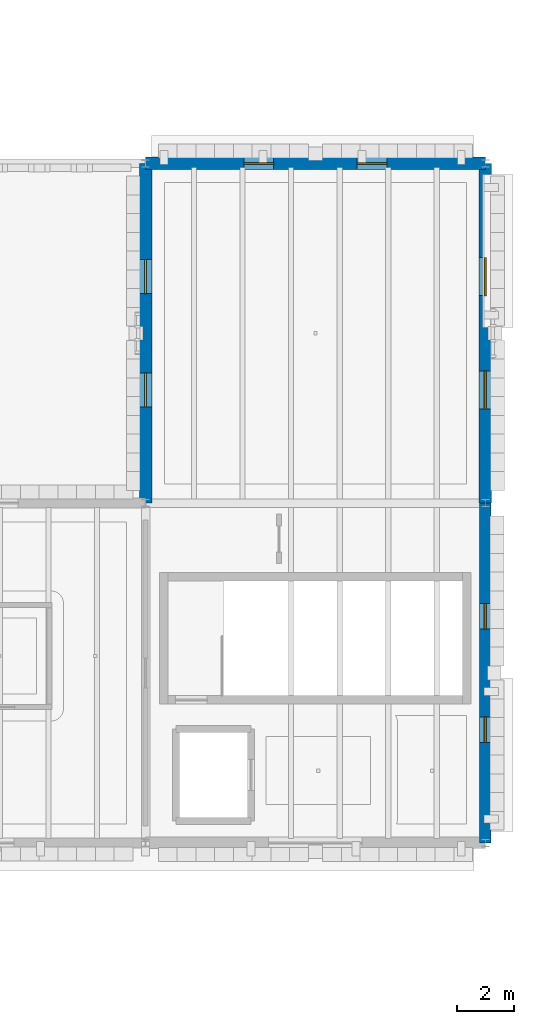
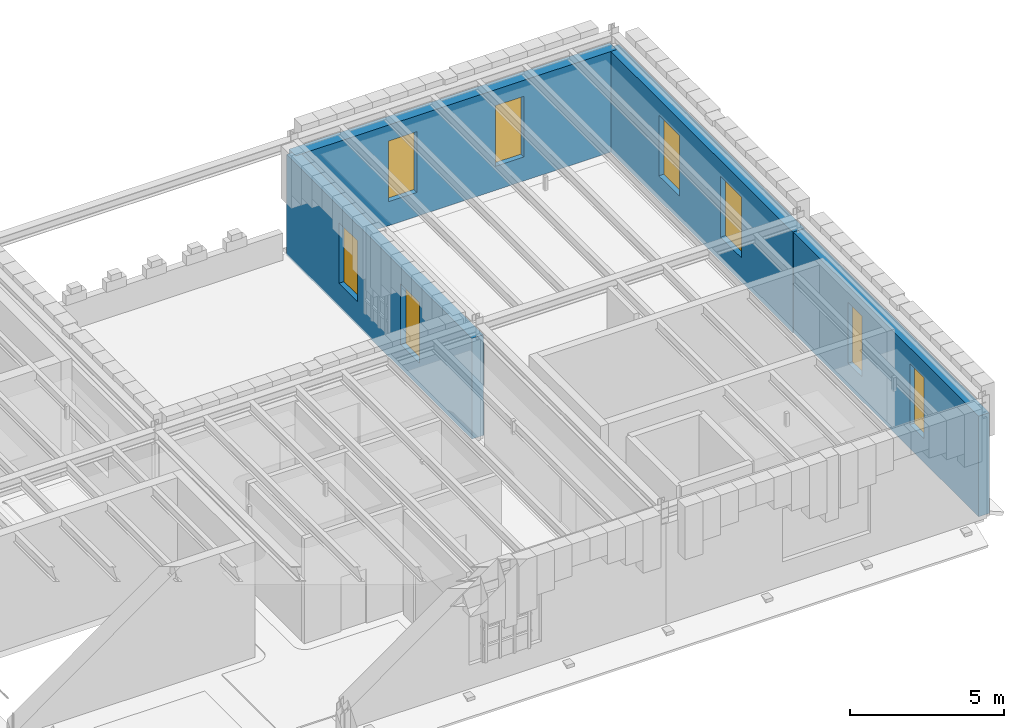
# One storey, part 18 of 35: 8 windows, 4 walls, 8 openings.
"""IFC4 building model written with IfcOpenShell, lengths in metres."""

from ifc_helpers import new_model, si_unit, direction, frame, frame_2d, origin, place, context, subcontext, project, spatial, rectangle, extrude, material, layer, layer_set, type_object, element, fill, save


model = new_model("IFC4")

# Units and contexts
model_context = context("Model", 3, precision=1e-05, world=origin(), true_north=direction((0.0, 1.0)))
body_context = subcontext(model_context, "Body", "Model", "MODEL_VIEW")
ifc_project = project(units=[si_unit("LENGTHUNIT", "METRE"), si_unit("AREAUNIT", "SQUARE_METRE"), si_unit("VOLUMEUNIT", "CUBIC_METRE"), si_unit("PLANEANGLEUNIT", "RADIAN"), si_unit("MASSUNIT", "GRAM", prefix="KILO")], contexts=[model_context])

# Site, building, storey
site_placement = place(None, origin())
site = spatial("IfcSite", under=ifc_project, at=site_placement, CompositionType="ELEMENT")
building_placement = place(site_placement, origin())
building = spatial("IfcBuilding", under=site, at=building_placement, Name="Zlatogorsky Bluff Art Gallery", CompositionType="ELEMENT")
storey_placement = place(building_placement, frame((0.0, 0.0, 23.39990234375)))
storey = spatial("IfcBuildingStorey", under=building, at=storey_placement, Name="L04", CompositionType="ELEMENT", Elevation=23.39990234375)

# Wall, openings, windows
ifc_material_1 = material(Name="Precast concrete C40/50", Category="concrete")
ifc_layer_1 = layer(ifc_material_1, 0.39990234375)
ifc_layer_set_1 = layer_set([ifc_layer_1], Name="Exterior Wall EW-02 400mm")
wall_type_1 = type_object("IfcWallType", Name="Exterior Wall EW-02 400mm", PredefinedType="SOLIDWALL", material=ifc_layer_set_1)
wall_1_placement = place(storey_placement, frame((156.0, 84.0, 0.0), z_axis=(0.0, 0.0, 1.0), x_axis=(0.0, 1.0, 0.0)))
wall_1 = element("IfcWall", 1, at=wall_1_placement, inside=storey, type_object=wall_type_1, Name="Exterior wall EW-02 L04 E 12.8", PredefinedType="SOLIDWALL", context=body_context, shape_type="SweptSolid", body=[
    extrude(rectangle(XDim=12.0, YDim=0.39990234375, at=frame_2d((6.0, 0.0))), origin(), (0.0, 0.0, 1.0), 3.97998046875),
])
opening_1_placement = place(wall_1_placement, frame((3.550048828125, 0.0, 0.949951171875)))
opening_1 = element("IfcOpeningElement", 2, at=opening_1_placement, cuts=wall_1, Name="Opening WN-37", PredefinedType="OPENING", context=body_context, shape_type="SweptSolid", body=[
    extrude(rectangle(XDim=0.89990234375, YDim=2.39990234375, at=frame_2d((0.449951171875, 1.199951171875))), frame((0.0, 0.2099609375, 0.0), z_axis=(0.0, -1.0, 0.0), x_axis=(1.0, 0.0, 0.0)), (0.0, 0.0, 1.0), 0.419921875),
])
opening_2_placement = place(wall_1_placement, frame((7.550048828125, 0.0, 0.949951171875)))
opening_2 = element("IfcOpeningElement", 3, at=opening_2_placement, cuts=wall_1, Name="Opening WN-37", PredefinedType="OPENING", context=body_context, shape_type="SweptSolid", body=[
    extrude(rectangle(XDim=0.89990234375, YDim=2.39990234375, at=frame_2d((0.449951171875, 1.199951171875))), frame((0.0, 0.2099609375, 0.0), z_axis=(0.0, -1.0, 0.0), x_axis=(1.0, 0.0, 0.0)), (0.0, 0.0, 1.0), 0.419921875),
])
ifc_material_2 = material(Name="Bronze-Anodised Aluminium Triple Glazing", Category="aluminium")
window_type_1 = type_object("IfcWindowType", Name="Pointed-Reveal Window WN-37 900x2400", PartitioningType="SINGLE_PANEL", PredefinedType="WINDOW", material=ifc_material_2)
window_1_placement = place(opening_1_placement, origin())
window_1 = element("IfcWindow", 4, at=window_1_placement, inside=storey, type_object=window_type_1, Name="Window WN-37 L04.E.12.8.1", OverallHeight=2.39990234375, OverallWidth=0.89990234375, PartitioningType="SINGLE_PANEL", PredefinedType="WINDOW", context=body_context, shape_type="SweptSolid", body=[
    extrude(rectangle(XDim=0.89990234375, YDim=2.39990234375, at=frame_2d((0.449951171875, 1.199951171875))), frame((0.0, 0.030029296875, 0.0), z_axis=(0.0, -1.0, 0.0), x_axis=(1.0, 0.0, 0.0)), (0.0, 0.0, 1.0), 0.06005859375),
])
fill(opening_1, window_1)
window_2_placement = place(opening_2_placement, origin())
window_2 = element("IfcWindow", 5, at=window_2_placement, inside=storey, type_object=window_type_1, Name="Window WN-37 L04.E.12.8.2", OverallHeight=2.39990234375, OverallWidth=0.89990234375, PartitioningType="SINGLE_PANEL", PredefinedType="WINDOW", context=body_context, shape_type="SweptSolid", body=[
    extrude(rectangle(XDim=0.89990234375, YDim=2.39990234375, at=frame_2d((0.449951171875, 1.199951171875))), frame((0.0, 0.030029296875, 0.0), z_axis=(0.0, -1.0, 0.0), x_axis=(1.0, 0.0, 0.0)), (0.0, 0.0, 1.0), 0.06005859375),
])
fill(opening_2, window_2)

ifc_layer_2 = layer(ifc_material_1, 0.43994140625)
ifc_layer_set_2 = layer_set([ifc_layer_2], Name="Exterior Wall EW-03 440mm")
wall_type_2 = type_object("IfcWallType", Name="Exterior Wall EW-03 440mm", PredefinedType="SOLIDWALL", material=ifc_layer_set_2)
wall_2_placement = place(storey_placement, frame((156.0, 108.0, 0.0), z_axis=(0.0, 0.0, 1.0), x_axis=(-1.0, 0.0, 0.0)))
wall_2 = element("IfcWall", 6, at=wall_2_placement, inside=storey, type_object=wall_type_2, Name="Exterior wall EW-03 L04 N 12.9", PredefinedType="SOLIDWALL", context=body_context, shape_type="SweptSolid", body=[
    extrude(rectangle(XDim=12.0, YDim=0.43994140625, at=frame_2d((6.0, 0.0))), origin(), (0.0, 0.0, 1.0), 3.97998046875),
])
opening_3_placement = place(wall_2_placement, frame((3.47509765625, 0.0, 0.949951171875)))
opening_3 = element("IfcOpeningElement", 7, at=opening_3_placement, cuts=wall_2, Name="Opening WN-38", PredefinedType="OPENING", context=body_context, shape_type="SweptSolid", body=[
    extrude(rectangle(XDim=1.050048828125, YDim=2.39990234375, at=frame_2d((0.52490234375, 1.199951171875))), frame((0.0, 0.22998046875, 0.0), z_axis=(0.0, -1.0, 0.0), x_axis=(1.0, 0.0, 0.0)), (0.0, 0.0, 1.0), 0.4599609375),
])
opening_4_placement = place(wall_2_placement, frame((7.47509765625, 0.0, 0.949951171875)))
opening_4 = element("IfcOpeningElement", 8, at=opening_4_placement, cuts=wall_2, Name="Opening WN-38", PredefinedType="OPENING", context=body_context, shape_type="SweptSolid", body=[
    extrude(rectangle(XDim=1.050048828125, YDim=2.39990234375, at=frame_2d((0.52490234375, 1.199951171875))), frame((0.0, 0.22998046875, 0.0), z_axis=(0.0, -1.0, 0.0), x_axis=(1.0, 0.0, 0.0)), (0.0, 0.0, 1.0), 0.4599609375),
])
window_type_2 = type_object("IfcWindowType", Name="Pointed-Reveal Window WN-38 1050x2400", PartitioningType="SINGLE_PANEL", PredefinedType="WINDOW", material=ifc_material_2)
window_3_placement = place(opening_3_placement, origin())
window_3 = element("IfcWindow", 9, at=window_3_placement, inside=storey, type_object=window_type_2, Name="Window WN-38 L04.N.12.9.1", OverallHeight=2.39990234375, OverallWidth=1.050048828125, PartitioningType="SINGLE_PANEL", PredefinedType="WINDOW", context=body_context, shape_type="SweptSolid", body=[
    extrude(rectangle(XDim=1.050048828125, YDim=2.39990234375, at=frame_2d((0.52490234375, 1.199951171875))), frame((0.0, 0.030029296875, 0.0), z_axis=(0.0, -1.0, 0.0), x_axis=(1.0, 0.0, 0.0)), (0.0, 0.0, 1.0), 0.06005859375),
])
fill(opening_3, window_3)
window_4_placement = place(opening_4_placement, origin())
window_4 = element("IfcWindow", 10, at=window_4_placement, inside=storey, type_object=window_type_2, Name="Window WN-38 L04.N.12.9.2", OverallHeight=2.39990234375, OverallWidth=1.050048828125, PartitioningType="SINGLE_PANEL", PredefinedType="WINDOW", context=body_context, shape_type="SweptSolid", body=[
    extrude(rectangle(XDim=1.050048828125, YDim=2.39990234375, at=frame_2d((0.52490234375, 1.199951171875))), frame((0.0, 0.030029296875, 0.0), z_axis=(0.0, -1.0, 0.0), x_axis=(1.0, 0.0, 0.0)), (0.0, 0.0, 1.0), 0.06005859375),
])
fill(opening_4, window_4)

wall_3_placement = place(storey_placement, frame((144.0, 108.0, 0.0), z_axis=(0.0, 0.0, 1.0), x_axis=(0.0, -1.0, 0.0)))
wall_3 = element("IfcWall", 11, at=wall_3_placement, inside=storey, type_object=wall_type_2, Name="Exterior wall EW-03 L04 W 12.9", PredefinedType="SOLIDWALL", context=body_context, shape_type="SweptSolid", body=[
    extrude(rectangle(XDim=12.0, YDim=0.43994140625, at=frame_2d((6.0, 0.0))), origin(), (0.0, 0.0, 1.0), 3.97998046875),
])
opening_5_placement = place(wall_3_placement, frame((3.39990234375, 0.0, 0.949951171875)))
opening_5 = element("IfcOpeningElement", 12, at=opening_5_placement, cuts=wall_3, Name="Opening WN-39", PredefinedType="OPENING", context=body_context, shape_type="SweptSolid", body=[
    extrude(rectangle(XDim=1.199951171875, YDim=2.39990234375, at=frame_2d((0.60009765625, 1.199951171875))), frame((0.0, 0.22998046875, 0.0), z_axis=(0.0, -1.0, 0.0), x_axis=(1.0, 0.0, 0.0)), (0.0, 0.0, 1.0), 0.4599609375),
])
opening_6_placement = place(wall_3_placement, frame((7.39990234375, 0.0, 0.949951171875)))
opening_6 = element("IfcOpeningElement", 13, at=opening_6_placement, cuts=wall_3, Name="Opening WN-39", PredefinedType="OPENING", context=body_context, shape_type="SweptSolid", body=[
    extrude(rectangle(XDim=1.199951171875, YDim=2.39990234375, at=frame_2d((0.60009765625, 1.199951171875))), frame((0.0, 0.22998046875, 0.0), z_axis=(0.0, -1.0, 0.0), x_axis=(1.0, 0.0, 0.0)), (0.0, 0.0, 1.0), 0.4599609375),
])
window_type_3 = type_object("IfcWindowType", Name="Pointed-Reveal Window WN-39 1200x2400", PartitioningType="SINGLE_PANEL", PredefinedType="WINDOW", material=ifc_material_2)
window_5_placement = place(opening_5_placement, origin())
window_5 = element("IfcWindow", 14, at=window_5_placement, inside=storey, type_object=window_type_3, Name="Window WN-39 L04.W.12.9.1", OverallHeight=2.39990234375, OverallWidth=1.199951171875, PartitioningType="SINGLE_PANEL", PredefinedType="WINDOW", context=body_context, shape_type="SweptSolid", body=[
    extrude(rectangle(XDim=1.199951171875, YDim=2.39990234375, at=frame_2d((0.60009765625, 1.199951171875))), frame((0.0, 0.030029296875, 0.0), z_axis=(0.0, -1.0, 0.0), x_axis=(1.0, 0.0, 0.0)), (0.0, 0.0, 1.0), 0.06005859375),
])
fill(opening_5, window_5)
window_6_placement = place(opening_6_placement, origin())
window_6 = element("IfcWindow", 15, at=window_6_placement, inside=storey, type_object=window_type_3, Name="Window WN-39 L04.W.12.9.2", OverallHeight=2.39990234375, OverallWidth=1.199951171875, PartitioningType="SINGLE_PANEL", PredefinedType="WINDOW", context=body_context, shape_type="SweptSolid", body=[
    extrude(rectangle(XDim=1.199951171875, YDim=2.39990234375, at=frame_2d((0.60009765625, 1.199951171875))), frame((0.0, 0.030029296875, 0.0), z_axis=(0.0, -1.0, 0.0), x_axis=(1.0, 0.0, 0.0)), (0.0, 0.0, 1.0), 0.06005859375),
])
fill(opening_6, window_6)

wall_4_placement = place(storey_placement, frame((156.0, 96.0, 0.0), z_axis=(0.0, 0.0, 1.0), x_axis=(0.0, 1.0, 0.0)))
wall_4 = element("IfcWall", 16, at=wall_4_placement, inside=storey, type_object=wall_type_2, Name="Exterior wall EW-03 L04 E 12.9", PredefinedType="SOLIDWALL", context=body_context, shape_type="SweptSolid", body=[
    extrude(rectangle(XDim=12.0, YDim=0.43994140625, at=frame_2d((6.0, 0.0))), origin(), (0.0, 0.0, 1.0), 3.97998046875),
])
opening_7_placement = place(wall_4_placement, frame((3.324951171875, 0.0, 0.949951171875)))
opening_7 = element("IfcOpeningElement", 17, at=opening_7_placement, cuts=wall_4, Name="Opening WN-40", PredefinedType="OPENING", context=body_context, shape_type="SweptSolid", body=[
    extrude(rectangle(XDim=1.35009765625, YDim=2.39990234375, at=frame_2d((0.675048828125, 1.199951171875))), frame((0.0, 0.22998046875, 0.0), z_axis=(0.0, -1.0, 0.0), x_axis=(1.0, 0.0, 0.0)), (0.0, 0.0, 1.0), 0.4599609375),
])
opening_8_placement = place(wall_4_placement, frame((7.324951171875, 0.0, 0.949951171875)))
opening_8 = element("IfcOpeningElement", 18, at=opening_8_placement, cuts=wall_4, Name="Opening WN-40", PredefinedType="OPENING", context=body_context, shape_type="SweptSolid", body=[
    extrude(rectangle(XDim=1.35009765625, YDim=2.39990234375, at=frame_2d((0.675048828125, 1.199951171875))), frame((0.0, 0.22998046875, 0.0), z_axis=(0.0, -1.0, 0.0), x_axis=(1.0, 0.0, 0.0)), (0.0, 0.0, 1.0), 0.4599609375),
])
window_type_4 = type_object("IfcWindowType", Name="Pointed-Reveal Window WN-40 1350x2400", PartitioningType="SINGLE_PANEL", PredefinedType="WINDOW", material=ifc_material_2)
window_7_placement = place(opening_7_placement, origin())
window_7 = element("IfcWindow", 19, at=window_7_placement, inside=storey, type_object=window_type_4, Name="Window WN-40 L04.E.12.9.1", OverallHeight=2.39990234375, OverallWidth=1.35009765625, PartitioningType="SINGLE_PANEL", PredefinedType="WINDOW", context=body_context, shape_type="SweptSolid", body=[
    extrude(rectangle(XDim=1.35009765625, YDim=2.39990234375, at=frame_2d((0.675048828125, 1.199951171875))), frame((0.0, 0.030029296875, 0.0), z_axis=(0.0, -1.0, 0.0), x_axis=(1.0, 0.0, 0.0)), (0.0, 0.0, 1.0), 0.06005859375),
])
fill(opening_7, window_7)
window_8_placement = place(opening_8_placement, origin())
window_8 = element("IfcWindow", 20, at=window_8_placement, inside=storey, type_object=window_type_4, Name="Window WN-40 L04.E.12.9.2", OverallHeight=2.39990234375, OverallWidth=1.35009765625, PartitioningType="SINGLE_PANEL", PredefinedType="WINDOW", context=body_context, shape_type="SweptSolid", body=[
    extrude(rectangle(XDim=1.35009765625, YDim=2.39990234375, at=frame_2d((0.675048828125, 1.199951171875))), frame((0.0, 0.030029296875, 0.0), z_axis=(0.0, -1.0, 0.0), x_axis=(1.0, 0.0, 0.0)), (0.0, 0.0, 1.0), 0.06005859375),
])
fill(opening_8, window_8)

save(model, "model.ifc")
